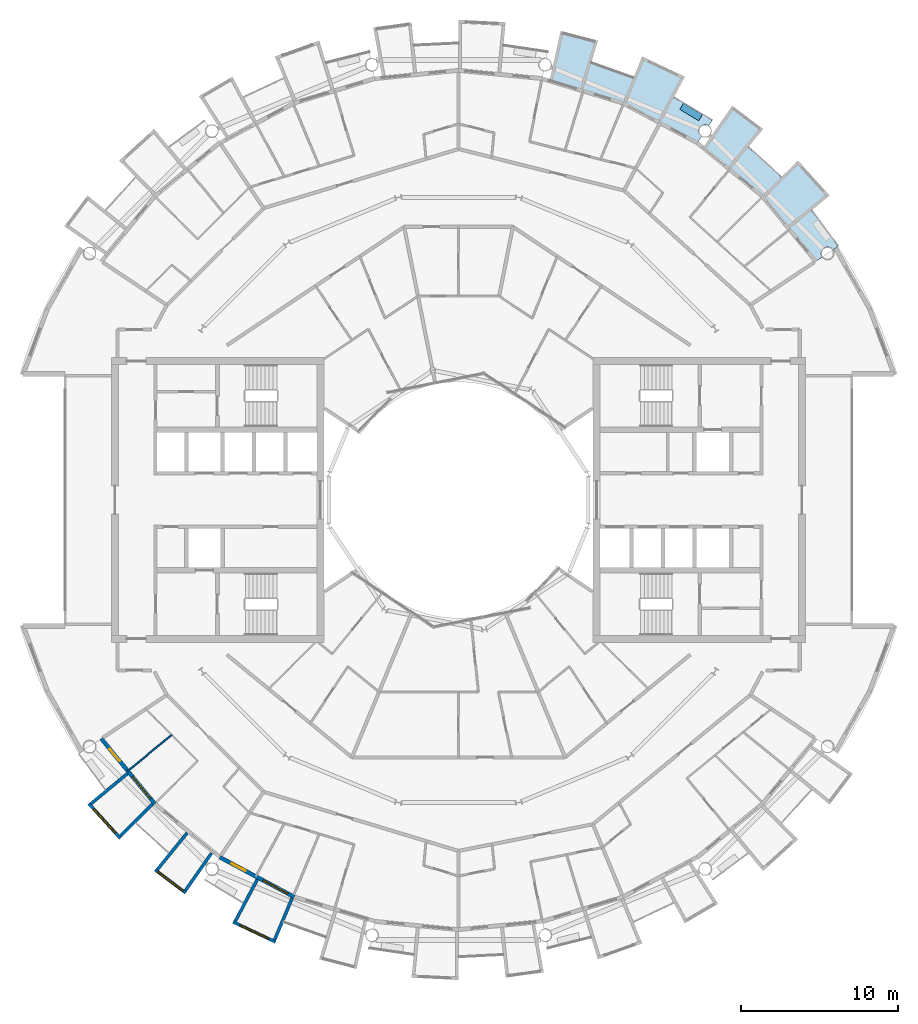
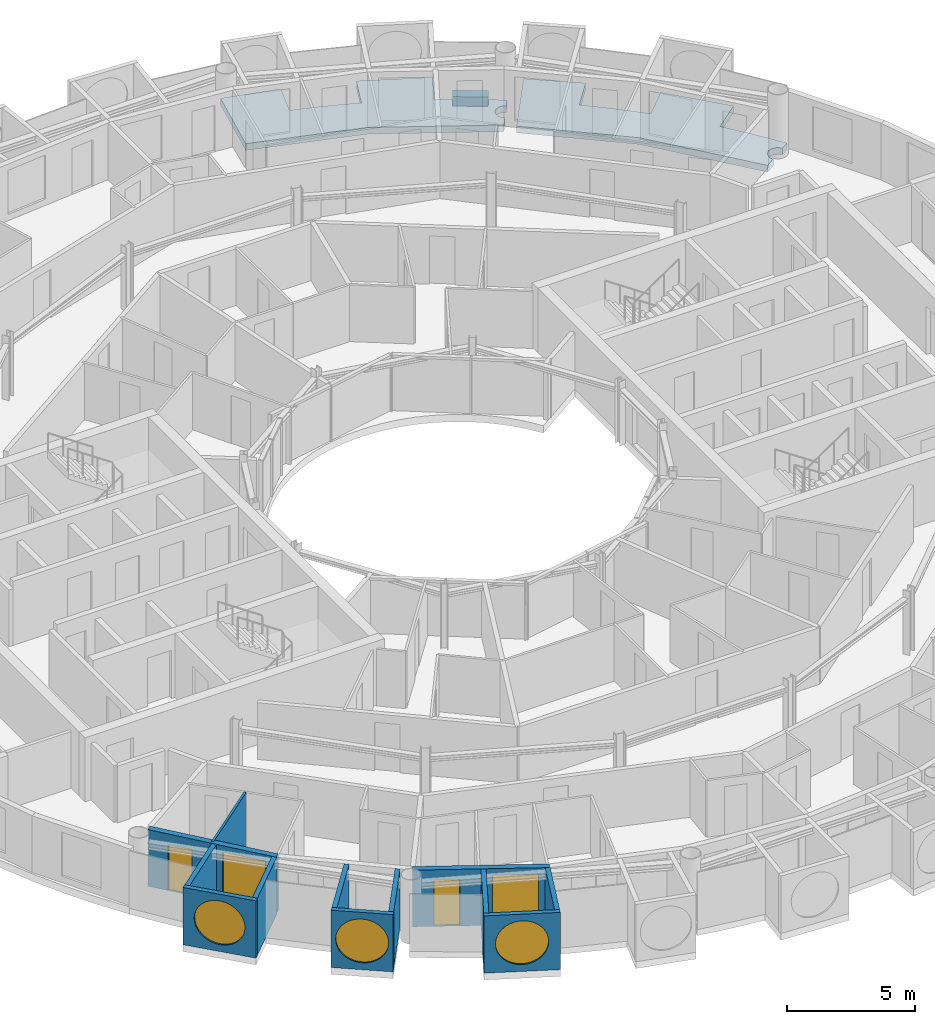
# One storey, part 14 of 28: 12 walls, 5 windows, 3 slabs, 2 doors, 7 openings.
"""IFC4 building model written with IfcOpenShell, lengths in metres."""

from ifc_helpers import new_model, si_unit, direction, frame, frame_2d, origin, place, context, subcontext, project, spatial, polyline, rectangle, circle, outline, extrude, material, layer, layer_set, type_object, element, fill, save


model = new_model("IFC4")

# Units and contexts
model_context = context("Model", 3, precision=1e-05, world=origin(), true_north=direction((0.0, 1.0)))
body_context = subcontext(model_context, "Body", "Model", "MODEL_VIEW")
ifc_project = project(units=[si_unit("LENGTHUNIT", "METRE"), si_unit("AREAUNIT", "SQUARE_METRE"), si_unit("VOLUMEUNIT", "CUBIC_METRE"), si_unit("PLANEANGLEUNIT", "RADIAN"), si_unit("MASSUNIT", "GRAM", prefix="KILO")], contexts=[model_context])

# Site, building, storey
site_placement = place(None, origin())
site = spatial("IfcSite", under=ifc_project, at=site_placement, CompositionType="ELEMENT")
building_placement = place(site_placement, origin())
building = spatial("IfcBuilding", under=site, at=building_placement, Name="Maasbend Ring Residences", CompositionType="ELEMENT")
storey_placement = place(building_placement, frame((0.0, 0.0, 196.300048828125)))
storey = spatial("IfcBuildingStorey", under=building, at=storey_placement, Name="L56", CompositionType="ELEMENT", Elevation=196.300048828125)

# Slabs
ifc_material_1 = material(Name="Planting with climbing greenery")
ifc_layer_1 = layer(ifc_material_1, 0.449951171875)
ifc_layer_set_1 = layer_set([ifc_layer_1], Name="PLANTER-LG")
slab_type_1 = type_object("IfcSlabType", Name="PLANTER-LG", PredefinedType="USERDEFINED", material=ifc_layer_set_1)
slab_1_placement = place(storey_placement, frame((0.0, 0.0, -0.030029296875)))
element("IfcSlab", 1, at=slab_1_placement, inside=storey, type_object=slab_type_1, Name="Planter with climbing greenery 2", ObjectType="PLANTER", PredefinedType="USERDEFINED", context=body_context, shape_type="SweptSolid", body=[
    extrude(outline(polyline([(15.490966796875, 24.48388671875), (14.291015625, 25.2041015625), (14.05908203125, 24.818115234375), (15.260009765625, 24.097900390625), (15.490966796875, 24.48388671875)])), origin(), (0.0, 0.0, 1.0), 0.449951171875),
])
ifc_material_2 = material(Name="Concrete C40/50", Category="concrete")
ifc_layer_2 = layer(ifc_material_2, 0.199951171875)
ifc_layer_set_2 = layer_set([ifc_layer_2], Name="Concrete C40/50")
slab_type_2 = type_object("IfcSlabType", Name="SL-LOGGIA", PredefinedType="FLOOR", material=ifc_layer_set_2)
slab_2_placement = place(storey_placement, frame((0.0, 0.0, -0.35009765625)))
element("IfcSlab", 2, at=slab_2_placement, inside=storey, type_object=slab_type_2, Name="Loggia floor 1", PredefinedType="FLOOR", context=body_context, shape_type="SweptSolid", body=[
    extrude(outline(polyline([(8.85400390625, 29.18701171875), (8.85400390625, 29.18701171875), (8.85400390625, 29.18701171875), (8.41796875, 27.751953125), (8.41796875, 27.751953125), (8.41796875, 27.751953125), (8.41796875, 27.751953125), (8.41796875, 27.751953125), (8.41796875, 27.751953125), (8.41796875, 27.7509765625), (8.41796875, 27.7509765625), (8.41796875, 27.7509765625), (8.41796875, 27.7509765625), (8.41796875, 27.7509765625), (8.4189453125, 27.7509765625), (8.4189453125, 27.7509765625), (8.4189453125, 27.7509765625), (8.4189453125, 27.7509765625), (8.4189453125, 27.7509765625), (8.4189453125, 27.7509765625), (9.322021484375, 27.4609375), (9.322021484375, 27.4609375), (10.215087890625, 27.14111328125), (10.215087890625, 27.14111328125), (11.096923828125, 26.79296875), (11.096923828125, 26.79296875), (11.096923828125, 26.79296875), (11.097900390625, 26.79296875), (11.097900390625, 26.79296875), (11.097900390625, 26.79296875), (11.097900390625, 26.79296875), (11.097900390625, 26.79296875), (11.097900390625, 26.79296875), (11.097900390625, 26.79296875), (11.097900390625, 26.79296875), (11.097900390625, 26.79296875), (11.097900390625, 26.79296875), (11.097900390625, 26.79296875), (11.097900390625, 26.79296875), (11.097900390625, 26.79296875), (11.097900390625, 26.79296875), (11.672119140625, 28.177978515625), (11.672119140625, 28.177978515625), (11.672119140625, 28.177978515625), (14.3779296875, 26.89892578125), (14.3779296875, 26.89892578125), (14.3779296875, 26.89892578125), (13.6708984375, 25.575927734375), (13.6708984375, 25.575927734375), (13.6708984375, 25.575927734375), (13.6708984375, 25.575927734375), (13.6708984375, 25.575927734375), (13.6708984375, 25.575927734375), (13.6708984375, 25.575927734375), (13.6708984375, 25.575927734375), (13.6708984375, 25.575927734375), (13.6708984375, 25.575927734375), (13.6708984375, 25.575927734375), (13.6708984375, 25.575927734375), (13.6708984375, 25.575927734375), (13.6708984375, 25.575927734375), (13.6708984375, 25.575927734375), (13.6708984375, 25.575927734375), (13.6708984375, 25.574951171875), (14.5, 25.114990234375), (14.5, 25.114990234375), (15.31396484375, 24.626953125), (15.31396484375, 24.626953125), (16.112060546875, 24.113037109375), (16.112060546875, 24.113037109375), (16.112060546875, 24.113037109375), (15.89306640625, 23.784912109375), (15.885009765625, 23.791015625), (15.8759765625, 23.7958984375), (15.866943359375, 23.801025390625), (15.85888671875, 23.805908203125), (15.85009765625, 23.81005859375), (15.841064453125, 23.81494140625), (15.83203125, 23.819091796875), (15.822998046875, 23.822998046875), (15.81298828125, 23.826904296875), (15.803955078125, 23.830078125), (15.794921875, 23.8330078125), (15.784912109375, 23.8359375), (15.77587890625, 23.839111328125), (15.76611328125, 23.842041015625), (15.756103515625, 23.843994140625), (15.74609375, 23.845947265625), (15.737060546875, 23.847900390625), (15.72705078125, 23.85009765625), (15.717041015625, 23.85107421875), (15.70703125, 23.85205078125), (15.697021484375, 23.85302734375), (15.68701171875, 23.85302734375), (15.677001953125, 23.85400390625), (15.6669921875, 23.85400390625), (15.656982421875, 23.85400390625), (15.64697265625, 23.85302734375), (15.636962890625, 23.85302734375), (15.626953125, 23.85205078125), (15.616943359375, 23.85107421875), (15.60693359375, 23.85009765625), (15.597900390625, 23.847900390625), (15.587890625, 23.845947265625), (15.577880859375, 23.843994140625), (15.568115234375, 23.842041015625), (15.55908203125, 23.839111328125), (15.549072265625, 23.8359375), (15.5400390625, 23.8330078125), (15.530029296875, 23.830078125), (15.52099609375, 23.826904296875), (15.511962890625, 23.822998046875), (15.501953125, 23.819091796875), (15.492919921875, 23.81494140625), (15.48388671875, 23.81005859375), (15.47509765625, 23.805908203125), (15.467041015625, 23.801025390625), (15.4580078125, 23.7958984375), (15.449951171875, 23.791015625), (15.44091796875, 23.784912109375), (15.43310546875, 23.780029296875), (15.425048828125, 23.77392578125), (15.4169921875, 23.76806640625), (15.408935546875, 23.761962890625), (15.402099609375, 23.7548828125), (15.39404296875, 23.7490234375), (15.386962890625, 23.741943359375), (15.3798828125, 23.735107421875), (15.373046875, 23.72802734375), (15.365966796875, 23.719970703125), (15.35888671875, 23.712890625), (15.35302734375, 23.705078125), (15.346923828125, 23.697021484375), (15.341064453125, 23.68994140625), (15.3349609375, 23.680908203125), (15.3291015625, 23.673095703125), (15.323974609375, 23.6650390625), (15.318115234375, 23.656005859375), (15.31298828125, 23.64794921875), (15.30908203125, 23.638916015625), (15.303955078125, 23.6298828125), (15.300048828125, 23.62109375), (15.294921875, 23.612060546875), (15.2919921875, 23.60302734375), (15.2880859375, 23.593994140625), (15.283935546875, 23.583984375), (15.281005859375, 23.574951171875), (15.278076171875, 23.56494140625), (15.27490234375, 23.555908203125), (15.27294921875, 23.5458984375), (15.27001953125, 23.535888671875), (15.26806640625, 23.527099609375), (15.26708984375, 23.51708984375), (15.264892578125, 23.507080078125), (15.263916015625, 23.4970703125), (15.262939453125, 23.487060546875), (15.261962890625, 23.47705078125), (15.260986328125, 23.467041015625), (15.260986328125, 23.45703125), (15.260986328125, 23.447021484375), (15.260986328125, 23.43701171875), (15.260986328125, 23.427001953125), (15.261962890625, 23.4169921875), (15.262939453125, 23.407958984375), (15.263916015625, 23.39794921875), (15.264892578125, 23.387939453125), (15.26708984375, 23.3779296875), (15.26806640625, 23.367919921875), (15.27001953125, 23.35791015625), (15.27294921875, 23.34912109375), (15.27490234375, 23.339111328125), (15.278076171875, 23.3291015625), (15.281005859375, 23.320068359375), (15.283935546875, 23.31005859375), (15.2880859375, 23.301025390625), (15.2919921875, 23.2919921875), (15.294921875, 23.282958984375), (15.300048828125, 23.27392578125), (15.303955078125, 23.264892578125), (15.30908203125, 23.256103515625), (15.31298828125, 23.2470703125), (15.318115234375, 23.238037109375), (15.323974609375, 23.22998046875), (15.3291015625, 23.221923828125), (15.3349609375, 23.212890625), (15.341064453125, 23.205078125), (15.346923828125, 23.197021484375), (15.35302734375, 23.18994140625), (15.35888671875, 23.181884765625), (15.365966796875, 23.174072265625), (15.373046875, 23.1669921875), (15.3798828125, 23.159912109375), (15.386962890625, 23.153076171875), (15.39404296875, 23.14599609375), (15.402099609375, 23.139892578125), (15.408935546875, 23.133056640625), (15.4169921875, 23.126953125), (15.425048828125, 23.12109375), (15.43310546875, 23.114990234375), (15.44091796875, 23.10888671875), (15.1669921875, 22.698974609375), (15.1669921875, 22.698974609375), (15.1669921875, 22.698974609375), (12.806884765625, 23.9609375), (10.447021484375, 25.221923828125), (10.447021484375, 25.221923828125), (10.447021484375, 25.221923828125), (7.886962890625, 25.9990234375), (5.797119140625, 26.633056640625), (5.797119140625, 26.633056640625), (5.797119140625, 26.633056640625), (6.487060546875, 29.802001953125), (6.487060546875, 29.802001953125), (6.487060546875, 29.802001953125), (8.85400390625, 29.18701171875)])), origin(), (0.0, 0.0, 1.0), 0.320068359375),
])
slab_3_placement = place(storey_placement, frame((0.0, 0.0, -0.35009765625)))
element("IfcSlab", 3, at=slab_3_placement, inside=storey, type_object=slab_type_2, Name="Loggia floor 4", PredefinedType="FLOOR", context=body_context, shape_type="SweptSolid", body=[
    extrude(outline(polyline([(19.34912109375, 23.576904296875), (19.34912109375, 23.576904296875), (19.34912109375, 23.576904296875), (18.39794921875, 22.41796875), (18.39794921875, 22.41796875), (18.39794921875, 22.41796875), (18.39794921875, 22.41796875), (18.39794921875, 22.41796875), (18.39794921875, 22.4169921875), (18.39794921875, 22.4169921875), (18.39794921875, 22.4169921875), (18.39794921875, 22.4169921875), (18.39794921875, 22.4169921875), (18.39794921875, 22.4169921875), (18.39794921875, 22.4169921875), (18.39794921875, 22.4169921875), (18.39794921875, 22.4169921875), (18.39794921875, 22.4169921875), (18.39794921875, 22.4169921875), (18.39794921875, 22.4169921875), (19.12109375, 21.802978515625), (19.12109375, 21.802978515625), (19.823974609375, 21.166015625), (19.823974609375, 21.166015625), (20.506103515625, 20.506103515625), (20.506103515625, 20.506103515625), (20.506103515625, 20.506103515625), (20.506103515625, 20.506103515625), (20.506103515625, 20.506103515625), (20.506103515625, 20.506103515625), (20.506103515625, 20.506103515625), (20.506103515625, 20.506103515625), (20.506103515625, 20.506103515625), (20.506103515625, 20.506103515625), (20.506103515625, 20.506103515625), (20.506103515625, 20.506103515625), (20.506103515625, 20.506103515625), (20.506103515625, 20.506103515625), (20.506103515625, 20.506103515625), (20.506103515625, 20.506103515625), (20.506103515625, 20.506103515625), (21.56689453125, 21.56689453125), (21.56689453125, 21.56689453125), (21.56689453125, 21.56689453125), (23.576904296875, 19.34912109375), (23.576904296875, 19.34912109375), (23.576904296875, 19.34912109375), (22.41796875, 18.39794921875), (22.41796875, 18.39794921875), (22.41796875, 18.39794921875), (22.41796875, 18.39794921875), (22.41796875, 18.39794921875), (22.41796875, 18.39794921875), (22.41796875, 18.39697265625), (22.41796875, 18.39697265625), (22.41796875, 18.39697265625), (22.41796875, 18.39697265625), (22.41796875, 18.39697265625), (22.41796875, 18.39697265625), (22.41796875, 18.39697265625), (22.41796875, 18.39697265625), (22.41796875, 18.39697265625), (22.41796875, 18.39697265625), (22.41796875, 18.39697265625), (23.007080078125, 17.654052734375), (23.007080078125, 17.654052734375), (23.572998046875, 16.89208984375), (23.572998046875, 16.89208984375), (24.113037109375, 16.112060546875), (24.113037109375, 16.112060546875), (24.113037109375, 16.112060546875), (23.784912109375, 15.89306640625), (23.784912109375, 15.89306640625), (23.780029296875, 15.90087890625), (23.77392578125, 15.908935546875), (23.76806640625, 15.9169921875), (23.761962890625, 15.925048828125), (23.7548828125, 15.93310546875), (23.7490234375, 15.93994140625), (23.741943359375, 15.947021484375), (23.735107421875, 15.955078125), (23.72802734375, 15.9619140625), (23.719970703125, 15.968017578125), (23.712890625, 15.97509765625), (23.705078125, 15.98095703125), (23.697021484375, 15.988037109375), (23.68994140625, 15.993896484375), (23.680908203125, 15.9990234375), (23.673095703125, 16.0048828125), (23.6650390625, 16.010986328125), (23.656005859375, 16.01611328125), (23.64794921875, 16.02099609375), (23.638916015625, 16.02587890625), (23.6298828125, 16.030029296875), (23.62109375, 16.034912109375), (23.612060546875, 16.0390625), (23.60302734375, 16.04296875), (23.593994140625, 16.0458984375), (23.583984375, 16.050048828125), (23.574951171875, 16.052978515625), (23.56494140625, 16.055908203125), (23.555908203125, 16.05908203125), (23.5458984375, 16.06103515625), (23.535888671875, 16.06396484375), (23.527099609375, 16.06591796875), (23.51708984375, 16.068115234375), (23.507080078125, 16.069091796875), (23.4970703125, 16.071044921875), (23.487060546875, 16.072021484375), (23.47705078125, 16.072021484375), (23.467041015625, 16.072998046875), (23.45703125, 16.072998046875), (23.447021484375, 16.073974609375), (23.43701171875, 16.072998046875), (23.427001953125, 16.072998046875), (23.4169921875, 16.072021484375), (23.407958984375, 16.072021484375), (23.39794921875, 16.071044921875), (23.387939453125, 16.069091796875), (23.3779296875, 16.068115234375), (23.367919921875, 16.06591796875), (23.35791015625, 16.06396484375), (23.34912109375, 16.06103515625), (23.339111328125, 16.05908203125), (23.3291015625, 16.055908203125), (23.320068359375, 16.052978515625), (23.31005859375, 16.050048828125), (23.301025390625, 16.0458984375), (23.2919921875, 16.04296875), (23.282958984375, 16.0390625), (23.27392578125, 16.034912109375), (23.264892578125, 16.030029296875), (23.256103515625, 16.02587890625), (23.2470703125, 16.02099609375), (23.238037109375, 16.01611328125), (23.22998046875, 16.010986328125), (23.221923828125, 16.0048828125), (23.212890625, 15.9990234375), (23.205078125, 15.993896484375), (23.197021484375, 15.988037109375), (23.18994140625, 15.98095703125), (23.181884765625, 15.97509765625), (23.174072265625, 15.968017578125), (23.1669921875, 15.9619140625), (23.159912109375, 15.955078125), (23.153076171875, 15.947021484375), (23.14599609375, 15.93994140625), (23.139892578125, 15.93310546875), (23.133056640625, 15.925048828125), (23.126953125, 15.9169921875), (23.12109375, 15.908935546875), (23.114990234375, 15.90087890625), (23.10888671875, 15.89306640625), (23.10400390625, 15.885009765625), (23.09912109375, 15.8759765625), (23.093994140625, 15.866943359375), (23.089111328125, 15.85888671875), (23.083984375, 15.85009765625), (23.080078125, 15.841064453125), (23.075927734375, 15.83203125), (23.072021484375, 15.822998046875), (23.068115234375, 15.81298828125), (23.06494140625, 15.803955078125), (23.06103515625, 15.794921875), (23.05810546875, 15.784912109375), (23.055908203125, 15.77587890625), (23.052978515625, 15.76611328125), (23.051025390625, 15.756103515625), (23.049072265625, 15.74609375), (23.047119140625, 15.737060546875), (23.044921875, 15.72705078125), (23.0439453125, 15.717041015625), (23.04296875, 15.70703125), (23.0419921875, 15.697021484375), (23.041015625, 15.68701171875), (23.041015625, 15.677001953125), (23.041015625, 15.6669921875), (23.041015625, 15.656982421875), (23.041015625, 15.64697265625), (23.0419921875, 15.636962890625), (23.04296875, 15.626953125), (23.0439453125, 15.616943359375), (23.044921875, 15.60693359375), (23.047119140625, 15.597900390625), (23.049072265625, 15.587890625), (23.051025390625, 15.577880859375), (23.052978515625, 15.568115234375), (23.055908203125, 15.55908203125), (23.05810546875, 15.549072265625), (23.06103515625, 15.5400390625), (23.06494140625, 15.530029296875), (23.068115234375, 15.52099609375), (23.072021484375, 15.511962890625), (23.075927734375, 15.501953125), (23.080078125, 15.492919921875), (23.083984375, 15.48388671875), (23.089111328125, 15.47509765625), (23.093994140625, 15.467041015625), (23.09912109375, 15.4580078125), (23.10400390625, 15.449951171875), (23.10888671875, 15.44091796875), (23.10888671875, 15.44091796875), (22.698974609375, 15.1669921875), (22.698974609375, 15.1669921875), (22.698974609375, 15.1669921875), (21.001953125, 17.236083984375), (19.303955078125, 19.303955078125), (19.303955078125, 19.303955078125), (19.303955078125, 19.303955078125), (17.236083984375, 21.001953125), (15.547119140625, 22.386962890625), (15.547119140625, 22.386962890625), (15.547119140625, 22.386962890625), (17.39794921875, 25.051025390625), (17.39794921875, 25.051025390625), (17.39794921875, 25.051025390625), (19.34912109375, 23.576904296875)])), origin(), (0.0, 0.0, 1.0), 0.320068359375),
])

# Wall, opening, window
ifc_material_3 = material(Name="Pale anodised aluminium panel", Category="aluminium")
ifc_layer_3 = layer(ifc_material_3, 0.199951171875)
ifc_layer_set_3 = layer_set([ifc_layer_3], Name="EW-BOX")
wall_type_1 = type_object("IfcWallType", Name="EW-BOX", PredefinedType="SOLIDWALL", material=ifc_layer_set_3)
wall_1_placement = place(storey_placement, frame((-23.5029296875, -19.281982421875, -0.030029296875), z_axis=(0.0, 0.0, 1.0), x_axis=(0.671506829416, -0.740998365753, 0.0)))
wall_1 = element("IfcWall", 4, at=wall_1_placement, inside=storey, type_object=wall_type_1, Name="Box front S02", PredefinedType="SOLIDWALL", context=body_context, shape_type="SweptSolid", body=[
    extrude(rectangle(XDim=2.9931640625, YDim=0.199951171875, at=frame_2d((1.49658203125, 0.0))), origin(), (0.0, 0.0, 1.0), 2.72998046875),
])
opening_1_placement = place(wall_1_placement, frame((0.45654296875, 0.0, 0.330078125)))
opening_1 = element("IfcOpeningElement", 5, at=opening_1_placement, cuts=wall_1, Name="Opening W-RD", PredefinedType="OPENING", context=body_context, shape_type="SweptSolid", body=[
    extrude(circle(Radius=1.0400390625, at=frame_2d((1.0400390625, 1.0400390625))), frame((0.0, 0.10986328125, 0.0), z_axis=(0.0, -1.0, 0.0), x_axis=(1.0, 0.0, 0.0)), (0.0, 0.0, 1.0), 0.219970703125),
])
ifc_material_4 = material(Name="Aluminium and clear glass", Category="aluminium")
window_type_1 = type_object("IfcWindowType", Name="W-RD", PartitioningType="SINGLE_PANEL", PredefinedType="WINDOW", material=ifc_material_4)
window_1_placement = place(opening_1_placement, origin())
window_1 = element("IfcWindow", 6, at=window_1_placement, inside=storey, type_object=window_type_1, Name="Round window S02", OverallHeight=2.080078125, OverallWidth=2.080078125, PartitioningType="SINGLE_PANEL", PredefinedType="WINDOW", context=body_context, shape_type="SweptSolid", body=[
    extrude(circle(Radius=1.0400390625, at=frame_2d((1.0400390625, 1.0400390625))), frame((0.0, 0.030029296875, 0.0), z_axis=(0.0, -1.0, 0.0), x_axis=(1.0, 0.0, 0.0)), (0.0, 0.0, 1.0), 0.06005859375),
])
fill(opening_1, window_1)

# Walls
wall_2_placement = place(storey_placement, frame((-21.041015625, -17.384033203125, -0.030029296875), z_axis=(0.0, 0.0, 1.0), x_axis=(-0.770784861449, -0.63709551667, 0.0)))
element("IfcWall", 7, at=wall_2_placement, inside=storey, type_object=wall_type_1, Name="Box side wall S02 left", PredefinedType="SOLIDWALL", context=body_context, shape_type="SweptSolid", body=[
    extrude(rectangle(XDim=3.005859375, YDim=0.199951171875, at=frame_2d((1.5029296875, 0.0))), origin(), (0.0, 0.0, 1.0), 2.72998046875),
])
wall_3_placement = place(storey_placement, frame((-19.449951171875, -19.322998046875, -0.030029296875), z_axis=(0.0, 0.0, 1.0), x_axis=(-0.709727076896, -0.704476739375, 0.0)))
element("IfcWall", 8, at=wall_3_placement, inside=storey, type_object=wall_type_1, Name="Box side wall S02 right", PredefinedType="SOLIDWALL", context=body_context, shape_type="SweptSolid", body=[
    extrude(rectangle(XDim=2.883056640625, YDim=0.199951171875, at=frame_2d((1.44140625, 0.0))), origin(), (0.0, 0.0, 1.0), 2.72998046875),
])

# Wall, opening, window
wall_4_placement = place(storey_placement, frame((-19.2890625, -23.4970703125, -0.030029296875), z_axis=(0.0, 0.0, 1.0), x_axis=(0.797887588059, -0.602806268067, 0.0)))
wall_4 = element("IfcWall", 9, at=wall_4_placement, inside=storey, type_object=wall_type_1, Name="Box front S04", PredefinedType="SOLIDWALL", context=body_context, shape_type="SweptSolid", body=[
    extrude(rectangle(XDim=2.446533203125, YDim=0.199951171875, at=frame_2d((1.22314453125, 0.0))), origin(), (0.0, 0.0, 1.0), 2.72998046875),
])
opening_2_placement = place(wall_4_placement, frame((0.182861328125, 0.0, 0.330078125)))
opening_2 = element("IfcOpeningElement", 10, at=opening_2_placement, cuts=wall_4, Name="Opening W-RD", PredefinedType="OPENING", context=body_context, shape_type="SweptSolid", body=[
    extrude(circle(Radius=1.0400390625, at=frame_2d((1.0400390625, 1.0400390625))), frame((0.0, 0.10986328125, 0.0), z_axis=(0.0, -1.0, 0.0), x_axis=(1.0, 0.0, 0.0)), (0.0, 0.0, 1.0), 0.219970703125),
])
window_2_placement = place(opening_2_placement, origin())
window_2 = element("IfcWindow", 11, at=window_2_placement, inside=storey, type_object=window_type_1, Name="Round window S04", OverallHeight=2.080078125, OverallWidth=2.080078125, PartitioningType="SINGLE_PANEL", PredefinedType="WINDOW", context=body_context, shape_type="SweptSolid", body=[
    extrude(circle(Radius=1.0400390625, at=frame_2d((1.0400390625, 1.0400390625))), frame((0.0, 0.030029296875, 0.0), z_axis=(0.0, -1.0, 0.0), x_axis=(1.0, 0.0, 0.0)), (0.0, 0.0, 1.0), 0.06005859375),
])
fill(opening_2, window_2)

# Walls
wall_5_placement = place(storey_placement, frame((-17.24609375, -21.155029296875, -0.030029296875), z_axis=(0.0, 0.0, 1.0), x_axis=(-0.631741648902, -0.775179004516, 0.0)))
element("IfcWall", 12, at=wall_5_placement, inside=storey, type_object=wall_type_1, Name="Box side wall S04 left", PredefinedType="SOLIDWALL", context=body_context, shape_type="SweptSolid", body=[
    extrude(rectangle(XDim=3.005859375, YDim=0.199951171875, at=frame_2d((1.5029296875, 0.0))), origin(), (0.0, 0.0, 1.0), 2.72998046875),
])
wall_6_placement = place(storey_placement, frame((-15.68798828125, -22.43310546875, -0.030029296875), z_axis=(0.0, 0.0, 1.0), x_axis=(-0.573260687834, -0.819373043115, 0.0)))
element("IfcWall", 13, at=wall_6_placement, inside=storey, type_object=wall_type_1, Name="Box side wall S04 right", PredefinedType="SOLIDWALL", context=body_context, shape_type="SweptSolid", body=[
    extrude(rectangle(XDim=2.92529296875, YDim=0.199951171875, at=frame_2d((1.462646484375, 0.0))), origin(), (0.0, 0.0, 1.0), 2.72998046875),
])

# Wall, opening, window
wall_7_placement = place(storey_placement, frame((-14.3349609375, -26.80810546875, -0.030029296875), z_axis=(0.0, 0.0, 1.0), x_axis=(0.904000060331, -0.427532327342, 0.0)))
wall_7 = element("IfcWall", 14, at=wall_7_placement, inside=storey, type_object=wall_type_1, Name="Box front S06", PredefinedType="SOLIDWALL", context=body_context, shape_type="SweptSolid", body=[
    extrude(rectangle(XDim=2.993408203125, YDim=0.199951171875, at=frame_2d((1.49658203125, 0.0))), origin(), (0.0, 0.0, 1.0), 2.72998046875),
])
opening_3_placement = place(wall_7_placement, frame((0.45654296875, 0.0, 0.330078125)))
opening_3 = element("IfcOpeningElement", 15, at=opening_3_placement, cuts=wall_7, Name="Opening W-RD", PredefinedType="OPENING", context=body_context, shape_type="SweptSolid", body=[
    extrude(circle(Radius=1.0400390625, at=frame_2d((1.0400390625, 1.0400390625))), frame((0.0, 0.10986328125, 0.0), z_axis=(0.0, -1.0, 0.0), x_axis=(1.0, 0.0, 0.0)), (0.0, 0.0, 1.0), 0.219970703125),
])
window_3_placement = place(opening_3_placement, origin())
window_3 = element("IfcWindow", 16, at=window_3_placement, inside=storey, type_object=window_type_1, Name="Round window S06", OverallHeight=2.080078125, OverallWidth=2.080078125, PartitioningType="SINGLE_PANEL", PredefinedType="WINDOW", context=body_context, shape_type="SweptSolid", body=[
    extrude(circle(Radius=1.0400390625, at=frame_2d((1.0400390625, 1.0400390625))), frame((0.0, 0.030029296875, 0.0), z_axis=(0.0, -1.0, 0.0), x_axis=(1.0, 0.0, 0.0)), (0.0, 0.0, 1.0), 0.06005859375),
])
fill(opening_3, window_3)

# Walls
wall_8_placement = place(storey_placement, frame((-12.787109375, -24.113037109375, -0.030029296875), z_axis=(0.0, 0.0, 1.0), x_axis=(-0.468365282436, -0.883534924159, 0.0)))
element("IfcWall", 17, at=wall_8_placement, inside=storey, type_object=wall_type_1, Name="Box side wall S06 left", PredefinedType="SOLIDWALL", context=body_context, shape_type="SweptSolid", body=[
    extrude(rectangle(XDim=3.006103515625, YDim=0.199951171875, at=frame_2d((1.5029296875, 0.0))), origin(), (0.0, 0.0, 1.0), 2.72998046875),
])
wall_9_placement = place(storey_placement, frame((-10.574951171875, -25.294921875, -0.030029296875), z_axis=(0.0, 0.0, 1.0), x_axis=(-0.385697364644, -0.922625353492, 0.0)))
element("IfcWall", 18, at=wall_9_placement, inside=storey, type_object=wall_type_1, Name="Box side wall S06 right", PredefinedType="SOLIDWALL", context=body_context, shape_type="SweptSolid", body=[
    extrude(rectangle(XDim=2.88330078125, YDim=0.199951171875, at=frame_2d((1.441650390625, 0.0))), origin(), (0.0, 0.0, 1.0), 2.72998046875),
])

# Wall, openings, door, window
ifc_material_5 = material(Name="Aluminium clad insulated panel", Category="aluminium")
ifc_layer_4 = layer(ifc_material_5, 0.25)
ifc_layer_set_4 = layer_set([ifc_layer_4], Name="EW-GL")
wall_type_2 = type_object("IfcWallType", Name="EW-GL", PredefinedType="SOLIDWALL", material=ifc_layer_set_4)
wall_10_placement = place(storey_placement, frame((-22.698974609375, -15.1669921875, 0.0), z_axis=(0.0, 0.0, 1.0), x_axis=(0.634382322723, -0.773019449054, 0.0)))
wall_10 = element("IfcWall", 19, at=wall_10_placement, inside=storey, type_object=wall_type_2, Name="External wall S01", PredefinedType="SOLIDWALL", context=body_context, shape_type="SweptSolid", body=[
    extrude(rectangle(XDim=5.351806640625, YDim=0.25, at=frame_2d((2.67578125, 0.0))), origin(), (0.0, 0.0, 1.0), 2.699951171875),
])
opening_4_placement = place(wall_10_placement, frame((0.841064453125, 0.0, 0.0)))
opening_4 = element("IfcOpeningElement", 20, at=opening_4_placement, cuts=wall_10, Name="Opening D-LG", PredefinedType="OPENING", context=body_context, shape_type="SweptSolid", body=[
    extrude(rectangle(XDim=1.0, YDim=2.199951171875, at=frame_2d((0.5, 1.10009765625))), frame((0.0, 0.135009765625, 0.0), z_axis=(0.0, -1.0, 0.0), x_axis=(1.0, 0.0, 0.0)), (0.0, 0.0, 1.0), 0.27001953125),
])
opening_5_placement = place(wall_10_placement, frame((3.110595703125, 0.0, 0.300048828125)))
opening_5 = element("IfcOpeningElement", 21, at=opening_5_placement, cuts=wall_10, Name="Opening W-BX", PredefinedType="OPENING", context=body_context, shape_type="SweptSolid", body=[
    extrude(rectangle(XDim=1.800048828125, YDim=2.10009765625, at=frame_2d((0.89990234375, 1.050048828125))), frame((0.0, 0.135009765625, 0.0), z_axis=(0.0, -1.0, 0.0), x_axis=(1.0, 0.0, 0.0)), (0.0, 0.0, 1.0), 0.27001953125),
])
ifc_material_6 = material(Name="Aluminium and clear glass", Category="aluminium")
door_type = type_object("IfcDoorType", Name="D-LG", OperationType="SINGLE_SWING_LEFT", PredefinedType="DOOR", material=ifc_material_6)
door_1_placement = place(opening_4_placement, origin())
door_1 = element("IfcDoor", 22, at=door_1_placement, inside=storey, type_object=door_type, Name="Loggia door S01", OperationType="SINGLE_SWING_LEFT", OverallHeight=2.199951171875, OverallWidth=1.0, PredefinedType="DOOR", context=body_context, shape_type="SweptSolid", body=[
    extrude(rectangle(XDim=1.0, YDim=2.199951171875, at=frame_2d((0.5, 1.10009765625))), frame((0.0, 0.02490234375, 0.0), z_axis=(0.0, -1.0, 0.0), x_axis=(1.0, 0.0, 0.0)), (0.0, 0.0, 1.0), 0.050048828125),
])
fill(opening_4, door_1)
ifc_material_7 = material(Name="Aluminium and clear glass", Category="aluminium")
window_type_2 = type_object("IfcWindowType", Name="W-BX", PartitioningType="DOUBLE_PANEL_VERTICAL", PredefinedType="WINDOW", material=ifc_material_7)
window_4_placement = place(opening_5_placement, origin())
window_4 = element("IfcWindow", 23, at=window_4_placement, inside=storey, type_object=window_type_2, Name="Window S02 room to box", OverallHeight=2.10009765625, OverallWidth=1.800048828125, PartitioningType="SINGLE_PANEL", PredefinedType="WINDOW", context=body_context, shape_type="SweptSolid", body=[
    extrude(rectangle(XDim=1.800048828125, YDim=2.10009765625, at=frame_2d((0.89990234375, 1.050048828125))), frame((0.0, 0.030029296875, 0.0), z_axis=(0.0, -1.0, 0.0), x_axis=(1.0, 0.0, 0.0)), (0.0, 0.0, 1.0), 0.06005859375),
])
fill(opening_5, window_4)

wall_11_placement = place(storey_placement, frame((-15.1669921875, -22.698974609375, 0.0), z_axis=(0.0, 0.0, 1.0), x_axis=(0.881915646801, -0.471407246368, 0.0)))
wall_11 = element("IfcWall", 24, at=wall_11_placement, inside=storey, type_object=wall_type_2, Name="External wall S03", PredefinedType="SOLIDWALL", context=body_context, shape_type="SweptSolid", body=[
    extrude(rectangle(XDim=5.35205078125, YDim=0.25, at=frame_2d((2.676025390625, 0.0))), origin(), (0.0, 0.0, 1.0), 2.699951171875),
])
opening_6_placement = place(wall_11_placement, frame((0.841064453125, 0.0, 0.0)))
opening_6 = element("IfcOpeningElement", 25, at=opening_6_placement, cuts=wall_11, Name="Opening D-LG", PredefinedType="OPENING", context=body_context, shape_type="SweptSolid", body=[
    extrude(rectangle(XDim=1.0, YDim=2.199951171875, at=frame_2d((0.5, 1.10009765625))), frame((0.0, 0.135009765625, 0.0), z_axis=(0.0, -1.0, 0.0), x_axis=(1.0, 0.0, 0.0)), (0.0, 0.0, 1.0), 0.27001953125),
])
opening_7_placement = place(wall_11_placement, frame((3.110595703125, 0.0, 0.300048828125)))
opening_7 = element("IfcOpeningElement", 26, at=opening_7_placement, cuts=wall_11, Name="Opening W-BX", PredefinedType="OPENING", context=body_context, shape_type="SweptSolid", body=[
    extrude(rectangle(XDim=1.800048828125, YDim=2.10009765625, at=frame_2d((0.89990234375, 1.050048828125))), frame((0.0, 0.135009765625, 0.0), z_axis=(0.0, -1.0, 0.0), x_axis=(1.0, 0.0, 0.0)), (0.0, 0.0, 1.0), 0.27001953125),
])
door_2_placement = place(opening_6_placement, origin())
door_2 = element("IfcDoor", 27, at=door_2_placement, inside=storey, type_object=door_type, Name="Loggia door S05", OperationType="SINGLE_SWING_LEFT", OverallHeight=2.199951171875, OverallWidth=1.0, PredefinedType="DOOR", context=body_context, shape_type="SweptSolid", body=[
    extrude(rectangle(XDim=1.0, YDim=2.199951171875, at=frame_2d((0.5, 1.10009765625))), frame((0.0, 0.02490234375, 0.0), z_axis=(0.0, -1.0, 0.0), x_axis=(1.0, 0.0, 0.0)), (0.0, 0.0, 1.0), 0.050048828125),
])
fill(opening_6, door_2)
window_5_placement = place(opening_7_placement, origin())
window_5 = element("IfcWindow", 28, at=window_5_placement, inside=storey, type_object=window_type_2, Name="Window S06 room to box", OverallHeight=2.10009765625, OverallWidth=1.800048828125, PartitioningType="SINGLE_PANEL", PredefinedType="WINDOW", context=body_context, shape_type="SweptSolid", body=[
    extrude(rectangle(XDim=1.800048828125, YDim=2.10009765625, at=frame_2d((0.89990234375, 1.050048828125))), frame((0.0, 0.030029296875, 0.0), z_axis=(0.0, -1.0, 0.0), x_axis=(1.0, 0.0, 0.0)), (0.0, 0.0, 1.0), 0.06005859375),
])
fill(opening_7, window_5)

# Wall
ifc_material_8 = material(Name="Gypsum board on steel studs", Category="steel")
ifc_layer_5 = layer(ifc_material_8, 0.10009765625)
ifc_layer_set_5 = layer_set([ifc_layer_5], Name="PARTITION 100 GYPSUM")
wall_type_3 = type_object("IfcWallType", Name="PARTITION 100 GYPSUM", PredefinedType="PARTITIONING", material=ifc_layer_set_5)
wall_12_placement = place(storey_placement, frame((-21.02294921875, -17.219970703125, 0.0), z_axis=(0.0, 0.0, 1.0), x_axis=(0.773548271597, 0.633737383709, 0.0)))
element("IfcWall", 29, at=wall_12_placement, inside=storey, type_object=wall_type_3, Name="U-L56-w035", PredefinedType="PARTITIONING", context=body_context, shape_type="SweptSolid", body=[
    extrude(rectangle(XDim=3.6181640625, YDim=0.10009765625, at=frame_2d((1.80908203125, 0.0))), origin(), (0.0, 0.0, 1.0), 2.699951171875),
])

save(model, "model.ifc")
